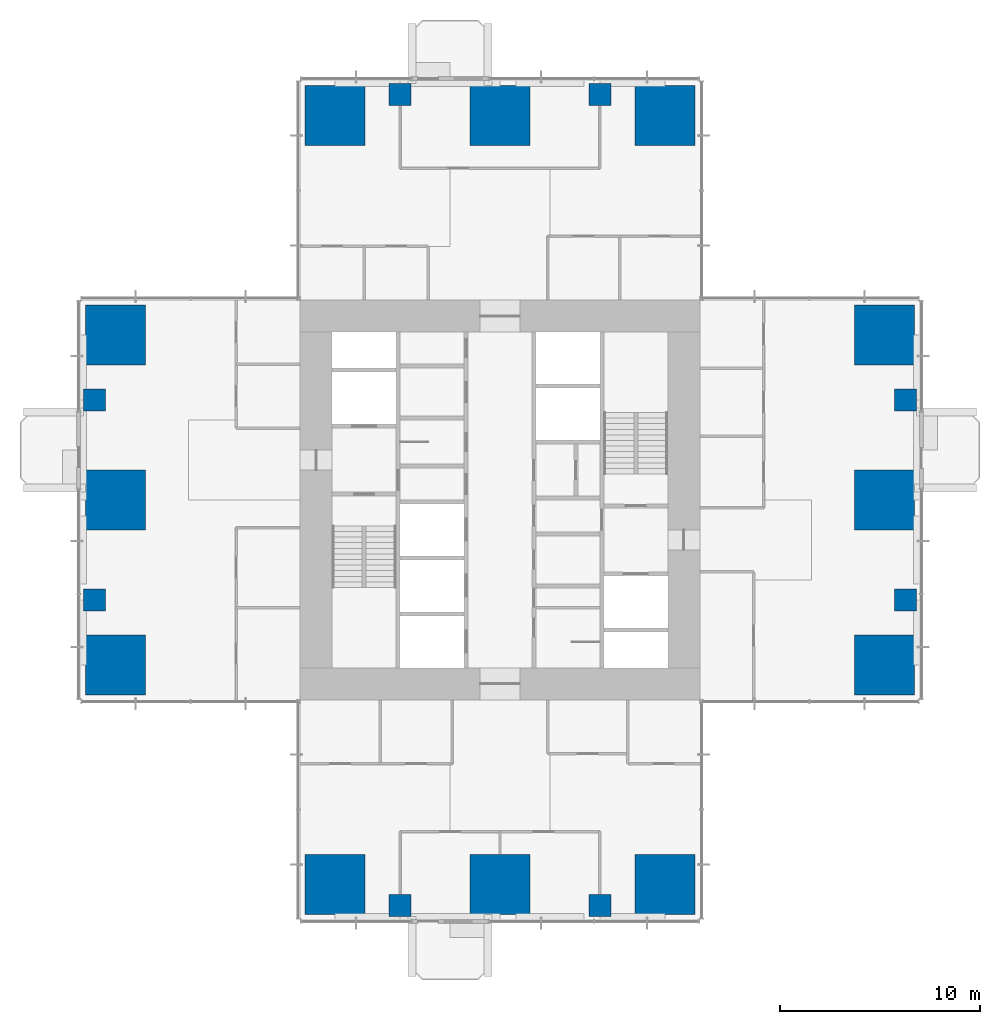
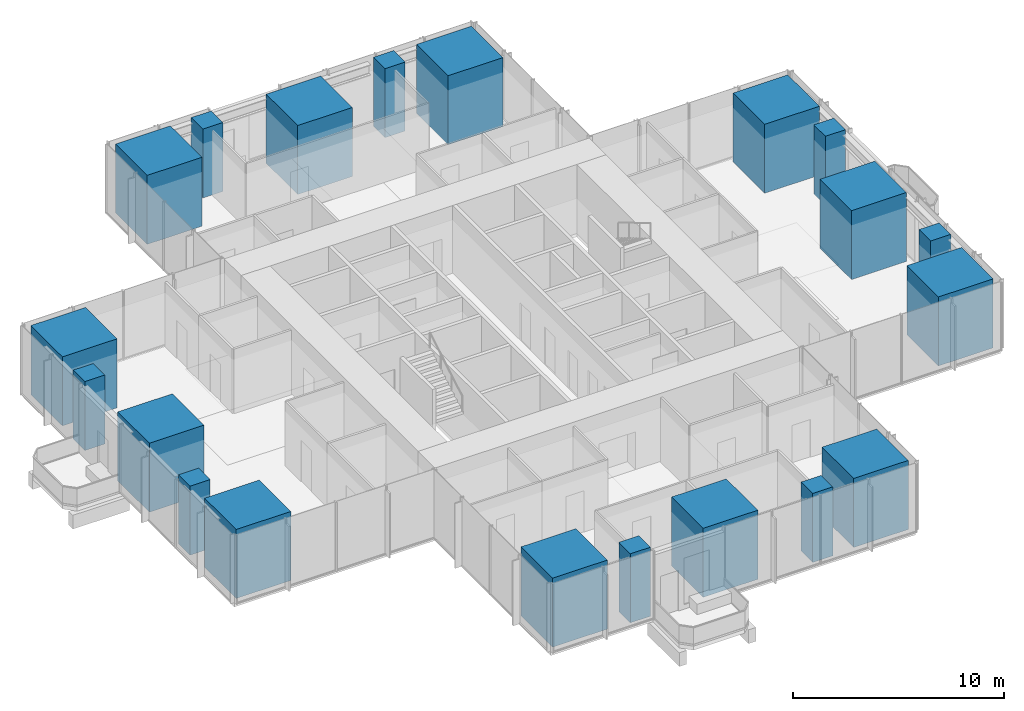
# One storey, part 1 of 13: 20 columns.
"""IFC4 building model written with IfcOpenShell, lengths in metres."""

from ifc_helpers import new_model, si_unit, direction, frame, origin, origin_2d, place, context, subcontext, project, spatial, rectangle, extrude, material, material_profile, profile_set, type_object, element, save


model = new_model("IFC4")

# Units and contexts
model_context = context("Model", 3, precision=1e-05, world=origin(), true_north=direction((0.0, 1.0)))
body_context = subcontext(model_context, "Body", "Model", "MODEL_VIEW")
ifc_project = project(units=[si_unit("LENGTHUNIT", "METRE"), si_unit("AREAUNIT", "SQUARE_METRE"), si_unit("VOLUMEUNIT", "CUBIC_METRE"), si_unit("PLANEANGLEUNIT", "RADIAN"), si_unit("MASSUNIT", "GRAM", prefix="KILO")], contexts=[model_context])

# Site, building, storey
site_placement = place(None, origin())
site = spatial("IfcSite", under=ifc_project, at=site_placement, CompositionType="ELEMENT")
building_placement = place(site_placement, origin())
building = spatial("IfcBuilding", under=site, at=building_placement, Name="Svetlomir Tower", CompositionType="ELEMENT")
storey_placement = place(building_placement, frame((0.0, 0.0, 132.5)))
storey = spatial("IfcBuildingStorey", under=building, at=storey_placement, Name="L31", CompositionType="ELEMENT", Elevation=132.5)

# Columns
ifc_material_1 = material(Name="Concrete C60/75", Category="concrete")
ifc_material_profile_1 = material_profile(ifc_material_1, rectangle(XDim=1.10009765625, YDim=1.10009765625, at=origin_2d()), Name="RC 1100x1100")
ifc_profile_set_1 = profile_set([ifc_material_profile_1], Name="Concrete C60/75")
column_type_1 = type_object("IfcColumnType", Name="COLUMN RC 1100x1100", PredefinedType="COLUMN", material=ifc_profile_set_1)
for number, where, z_axis, x_axis, name in (
    (1, (16.0, 0.699951171875, 0.0), (0.0, 0.0, 1.0), (1.0, 0.0, 0.0), "Column 16/0 L31"),
    (2, (26.0, 0.699951171875, 0.0), (0.0, 0.0, 1.0), (1.0, 0.0, 0.0), "Column 26/0 L31"),
    (3, (0.699951171875, 16.0, 0.0), (0.0, 0.0, 1.0), (1.0, 0.0, 0.0), "Column 0/16 L31"),
    (4, (41.300048828125, 16.0, 0.0), (0.0, 0.0, 1.0), (1.0, 0.0, 0.0), "Column 42/16 L31"),
    (5, (0.699951171875, 26.0, 0.0), (0.0, 0.0, 1.0), (1.0, 0.0, 0.0), "Column 0/26 L31"),
    (6, (41.300048828125, 26.0, 0.0), (0.0, 0.0, 1.0), (1.0, 0.0, 0.0), "Column 42/26 L31"),
    (7, (16.0, 41.300048828125, 0.0), (0.0, 0.0, 1.0), (1.0, 0.0, 0.0), "Column 16/42 L31"),
    (8, (26.0, 41.300048828125, 0.0), (0.0, 0.0, 1.0), (1.0, 0.0, 0.0), "Column 26/42 L31"),
):
    element("IfcColumn", number, at=place(storey_placement, frame(where, z_axis=z_axis, x_axis=x_axis)), inside=storey, type_object=column_type_1, Name=name, PredefinedType="COLUMN", context=body_context, shape_type="SweptSolid", body=[
        extrude(rectangle(XDim=1.10009765625, YDim=1.10009765625, at=origin_2d()), origin(), (0.0, 0.0, 1.0), 4.0),
    ])
ifc_material_2 = material(Name="Concrete C60/75", Category="concrete")
ifc_material_profile_2 = material_profile(ifc_material_2, rectangle(XDim=3.0, YDim=3.0, at=origin_2d()), Name="RC 3000x3000")
ifc_profile_set_2 = profile_set([ifc_material_profile_2], Name="Concrete C60/75")
column_type_2 = type_object("IfcColumnType", Name="COLUMN RC 3000x3000", PredefinedType="COLUMN", material=ifc_profile_set_2)
for number, where, z_axis, x_axis, name in (
    (9, (12.75, 1.75, 0.0), (0.0, 0.0, 1.0), (1.0, 0.0, 0.0), "Column 11/0 L31"),
    (10, (21.0, 1.75, 0.0), (0.0, 0.0, 1.0), (1.0, 0.0, 0.0), "Column 21/0 L31"),
    (11, (29.25, 1.75, 0.0), (0.0, 0.0, 1.0), (1.0, 0.0, 0.0), "Column 31/0 L31"),
    (12, (1.75, 12.75, 0.0), (0.0, 0.0, 1.0), (1.0, 0.0, 0.0), "Column 0/11 L31"),
    (13, (40.25, 12.75, 0.0), (0.0, 0.0, 1.0), (1.0, 0.0, 0.0), "Column 42/11 L31"),
    (14, (1.75, 21.0, 0.0), (0.0, 0.0, 1.0), (1.0, 0.0, 0.0), "Column 0/21 L31"),
    (15, (40.25, 21.0, 0.0), (0.0, 0.0, 1.0), (1.0, 0.0, 0.0), "Column 42/21 L31"),
    (16, (1.75, 29.25, 0.0), (0.0, 0.0, 1.0), (1.0, 0.0, 0.0), "Column 0/31 L31"),
    (17, (40.25, 29.25, 0.0), (0.0, 0.0, 1.0), (1.0, 0.0, 0.0), "Column 42/31 L31"),
    (18, (12.75, 40.25, 0.0), (0.0, 0.0, 1.0), (1.0, 0.0, 0.0), "Column 11/42 L31"),
    (19, (21.0, 40.25, 0.0), (0.0, 0.0, 1.0), (1.0, 0.0, 0.0), "Column 21/42 L31"),
    (20, (29.25, 40.25, 0.0), (0.0, 0.0, 1.0), (1.0, 0.0, 0.0), "Column 31/42 L31"),
):
    element("IfcColumn", number, at=place(storey_placement, frame(where, z_axis=z_axis, x_axis=x_axis)), inside=storey, type_object=column_type_2, Name=name, PredefinedType="COLUMN", context=body_context, shape_type="SweptSolid", body=[
        extrude(rectangle(XDim=3.0, YDim=3.0, at=origin_2d()), origin(), (0.0, 0.0, 1.0), 4.0),
    ])

save(model, "model.ifc")
